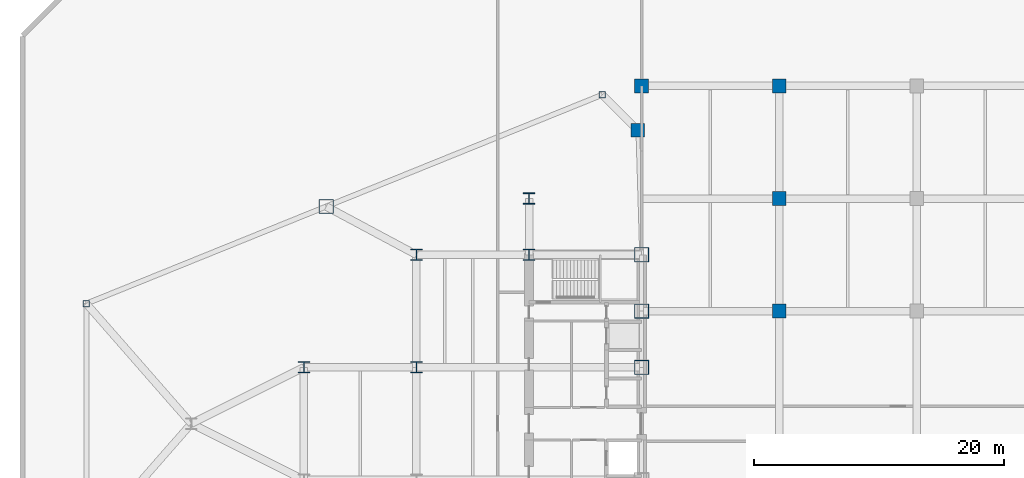
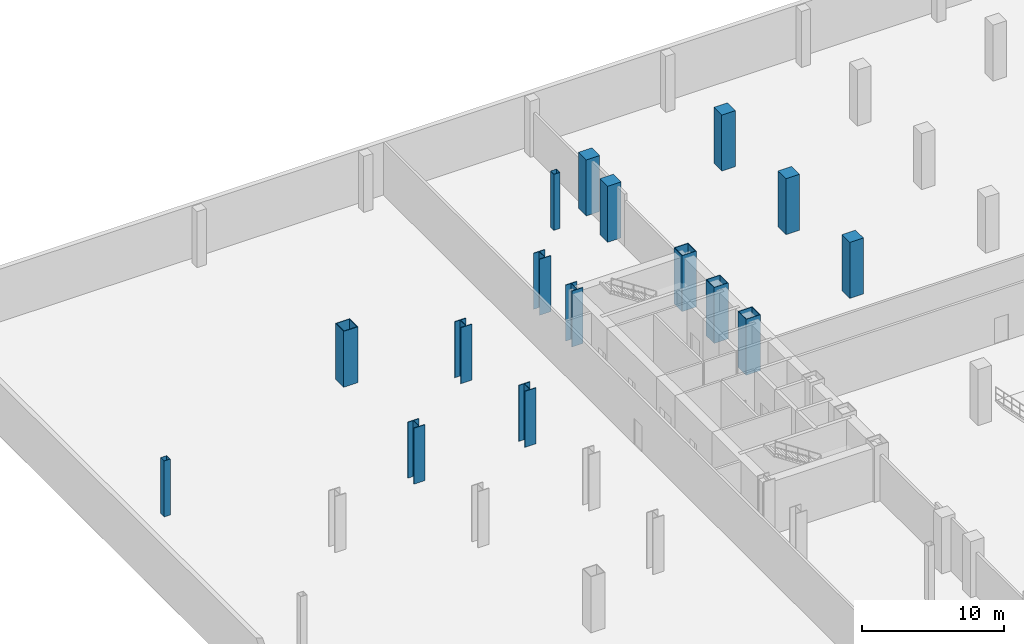
# One storey, part 2 of 18: 16 columns.
"""IFC4 building model written with IfcOpenShell, lengths in metres."""

from ifc_helpers import new_model, si_unit, direction, frame, origin, origin_2d, place, context, subcontext, project, spatial, rectangle, hollow_rectangle, i_section, extrude, source, transform, mapped, material, material_profile, profile_set, type_object, type_shapes, element, save


model = new_model("IFC4")

# Units and contexts
model_context = context("Model", 3, precision=1e-05, world=origin(), true_north=direction((0.0, 1.0)))
body_context = subcontext(model_context, "Body", "Model", "MODEL_VIEW")
ifc_project = project(units=[si_unit("LENGTHUNIT", "METRE"), si_unit("AREAUNIT", "SQUARE_METRE"), si_unit("VOLUMEUNIT", "CUBIC_METRE"), si_unit("PLANEANGLEUNIT", "RADIAN"), si_unit("MASSUNIT", "GRAM", prefix="KILO")], contexts=[model_context])

# Site, building, storey
site_placement = place(None, origin())
site = spatial("IfcSite", under=ifc_project, at=site_placement, CompositionType="ELEMENT")
building_placement = place(site_placement, origin())
building = spatial("IfcBuilding", under=site, at=building_placement, Name="Seokmaru Belvedere", CompositionType="ELEMENT")
storey_placement = place(building_placement, frame((0.0, 0.0, -4.800048828125)))
storey = spatial("IfcBuildingStorey", under=building, at=storey_placement, Name="B1", CompositionType="ELEMENT", Elevation=-4.800048828125)

# Columns
ifc_material_1 = material(Name="Steel HSA650 (650 MPa)", Category="steel")
ifc_material_profile_1 = material_profile(ifc_material_1, hollow_rectangle(XDim=1.14990234375, YDim=1.14990234375, WallThickness=0.048095703125, at=origin_2d()), Name="BOX-1150x1150x48")
ifc_profile_set_1 = profile_set([ifc_material_profile_1], Name="Steel HSA650 (650 MPa)")
column_type_1 = type_object("IfcColumnType", Name="Portal Spine Column BOX-1150", PredefinedType="COLUMN", material=ifc_profile_set_1)
shared_shape_1 = source(origin(), body_context, "Body", "SweptSolid", [
    extrude(hollow_rectangle(XDim=1.14990234375, YDim=1.14990234375, WallThickness=0.048095703125, at=origin_2d()), origin(), (0.0, 0.0, 1.0), 4.800048828125),
])
type_shapes(column_type_1, [shared_shape_1])
for number, where, z_axis, x_axis, name in (
    (1, (-27.5, 4.5, 0.0), (0.0, 0.0, 1.0), (1.0, 0.0, 0.0), "B1 Column WS4"),
    (2, (-27.5, 9.0, 0.0), (0.0, 0.0, 1.0), (1.0, 0.0, 0.0), "B1 Column WS5"),
    (3, (-27.5, 13.5, 0.0), (0.0, 0.0, 1.0), (1.0, 0.0, 0.0), "B1 Column WS6"),
    (4, (-52.715576171875, 17.360595703125, 0.0), (0.0, 0.0, 1.0), (1.0, 0.0, 0.0), "B1 Column WFLK_N2"),
):
    element("IfcColumn", number, at=place(storey_placement, frame(where, z_axis=z_axis, x_axis=x_axis)), inside=storey, type_object=column_type_1, Name=name, PredefinedType="COLUMN", context=body_context, shape_type="MappedRepresentation", body=[
        mapped(shared_shape_1, transform((0.0, 0.0, 0.0), scale=1.0)),
    ])
ifc_material_2 = material(Name="Concrete C60 (60 MPa)", Category="concrete")
ifc_material_profile_2 = material_profile(ifc_material_2, rectangle(XDim=1.10009765625, YDim=1.10009765625, at=origin_2d()), Name="RC-1100x1100")
ifc_profile_set_2 = profile_set([ifc_material_profile_2], Name="Concrete C60 (60 MPa)")
column_type_2 = type_object("IfcColumnType", Name="Basement Substructure Column RC-1100", PredefinedType="COLUMN", material=ifc_profile_set_2)
shared_shape_2 = source(origin(), body_context, "Body", "SweptSolid", [
    extrude(rectangle(XDim=1.10009765625, YDim=1.10009765625, at=origin_2d()), origin(), (0.0, 0.0, 1.0), 4.800048828125),
])
type_shapes(column_type_2, [shared_shape_2])
for number, where, z_axis, x_axis, name in (
    (5, (-27.5, 27.0, 0.0), (0.0, 0.0, 1.0), (1.0, 0.0, 0.0), "B1 Column WPS2"),
    (6, (-27.800048828125, 23.451416015625, 0.0), (0.0, 0.0, 1.0), (1.0, 0.0, 0.0), "B1 Column WPM_N"),
    (7, (-16.5, 9.0, 0.0), (0.0, 0.0, 1.0), (1.0, 0.0, 0.0), "B1 Column CP1_4"),
    (8, (-16.5, 18.0, 0.0), (0.0, 0.0, 1.0), (1.0, 0.0, 0.0), "B1 Column CP1_5"),
    (9, (-16.5, 27.0, 0.0), (0.0, 0.0, 1.0), (1.0, 0.0, 0.0), "B1 Column CP1_6"),
):
    element("IfcColumn", number, at=place(storey_placement, frame(where, z_axis=z_axis, x_axis=x_axis)), inside=storey, type_object=column_type_2, Name=name, PredefinedType="COLUMN", context=body_context, shape_type="MappedRepresentation", body=[
        mapped(shared_shape_2, transform((0.0, 0.0, 0.0), scale=1.0)),
    ])
ifc_material_profile_3 = material_profile(ifc_material_1, i_section(OverallWidth=0.89990234375, OverallDepth=0.89990234375, WebThickness=0.035888671875, FlangeThickness=0.054931640625, at=origin_2d()), Name="H-900x900x36x55")
ifc_profile_set_3 = profile_set([ifc_material_profile_3], Name="Steel HSA650 (650 MPa)")
column_type_3 = type_object("IfcColumnType", Name="Lower Interior Column H-900", PredefinedType="COLUMN", material=ifc_profile_set_3)
shared_shape_3 = source(origin(), body_context, "Body", "SweptSolid", [
    extrude(i_section(OverallWidth=0.89990234375, OverallDepth=0.89990234375, WebThickness=0.035888671875, FlangeThickness=0.054931640625, at=origin_2d()), origin(), (0.0, 0.0, 1.0), 4.800048828125),
])
type_shapes(column_type_3, [shared_shape_3])
for number, where, z_axis, x_axis, name in (
    (10, (-36.5, 13.5, 0.0), (0.0, 0.0, 1.0), (1.0, 0.0, 0.0), "B1 Column WC3"),
    (11, (-36.5, 18.0, 0.0), (0.0, 0.0, 1.0), (1.0, 0.0, 0.0), "B1 Column WC4"),
    (12, (-45.5, 4.5, 0.0), (0.0, 0.0, 1.0), (1.0, 0.0, 0.0), "B1 Column WG5_3"),
    (13, (-45.5, 13.5, 0.0), (0.0, 0.0, 1.0), (1.0, 0.0, 0.0), "B1 Column WG5_4"),
    (14, (-54.5, 4.5, 0.0), (0.0, 0.0, 1.0), (1.0, 0.0, 0.0), "B1 Column WG4P_2"),
):
    element("IfcColumn", number, at=place(storey_placement, frame(where, z_axis=z_axis, x_axis=x_axis)), inside=storey, type_object=column_type_3, Name=name, PredefinedType="COLUMN", context=body_context, shape_type="MappedRepresentation", body=[
        mapped(shared_shape_3, transform((0.0, 0.0, 0.0), scale=1.0)),
    ])
ifc_material_3 = material(Name="Steel SM355 (355 MPa)", Category="steel")
ifc_material_profile_4 = material_profile(ifc_material_3, hollow_rectangle(XDim=0.5, YDim=0.5, WallThickness=0.02001953125, at=origin_2d()), Name="HSS-500x500x20")
ifc_profile_set_4 = profile_set([ifc_material_profile_4], Name="Steel SM355 (355 MPa)")
column_type_4 = type_object("IfcColumnType", Name="Perimeter Facet Column HSS-500", PredefinedType="COLUMN", material=ifc_profile_set_4)
shared_shape_4 = source(origin(), body_context, "Body", "SweptSolid", [
    extrude(hollow_rectangle(XDim=0.5, YDim=0.5, WallThickness=0.02001953125, at=origin_2d()), origin(), (0.0, 0.0, 1.0), 4.800048828125),
])
type_shapes(column_type_4, [shared_shape_4])
for number, where, z_axis, x_axis, name in (
    (15, (-30.643310546875, 26.294677734375, 0.0), (0.0, 0.0, 1.0), (1.0, 0.0, 0.0), "B1 Column WF3"),
    (16, (-71.89990234375, 9.595703125, 0.0), (0.0, 0.0, 1.0), (1.0, 0.0, 0.0), "B1 Column WF4"),
):
    element("IfcColumn", number, at=place(storey_placement, frame(where, z_axis=z_axis, x_axis=x_axis)), inside=storey, type_object=column_type_4, Name=name, PredefinedType="COLUMN", context=body_context, shape_type="MappedRepresentation", body=[
        mapped(shared_shape_4, transform((0.0, 0.0, 0.0), scale=1.0)),
    ])

save(model, "model.ifc")
